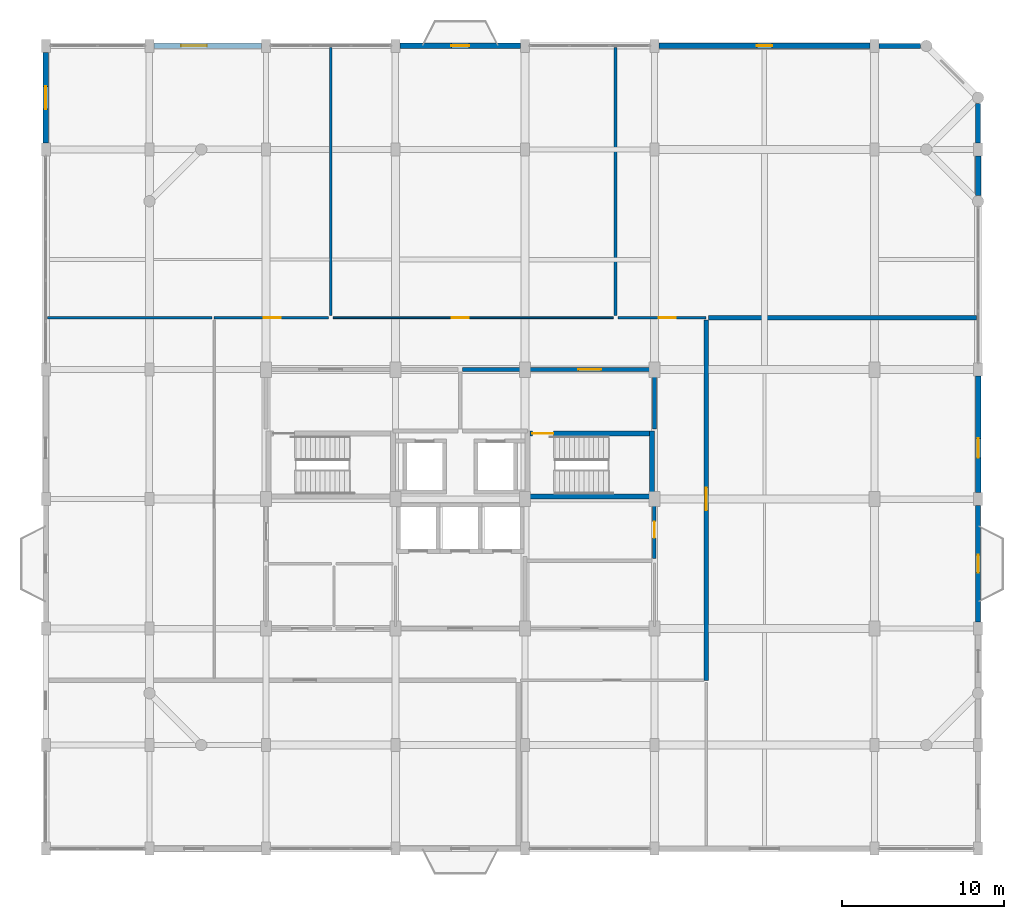
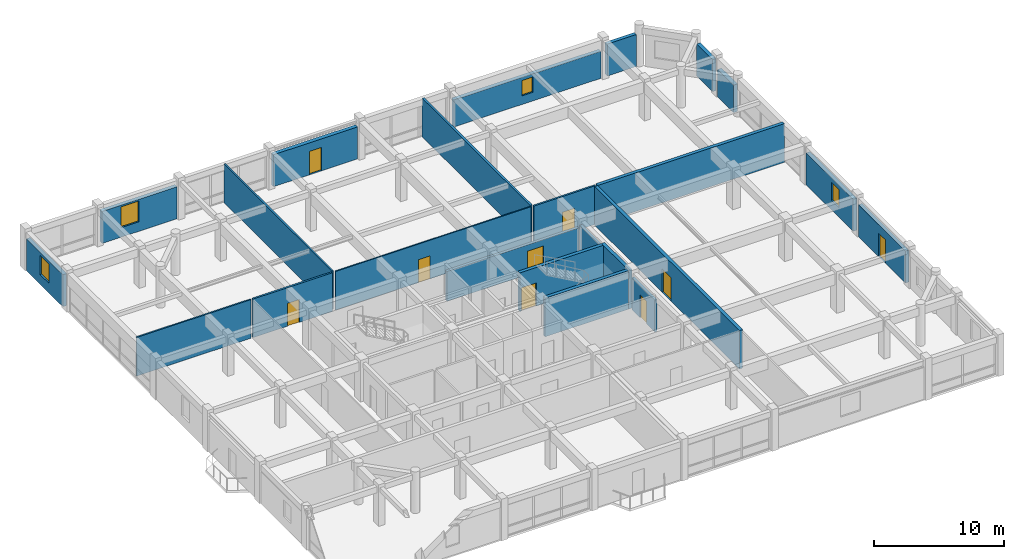
# One storey, part 13 of 15: 23 walls, 9 doors, 4 windows, 13 openings.
"""IFC4 building model written with IfcOpenShell, lengths in metres."""

from ifc_helpers import new_model, si_unit, direction, frame, frame_2d, origin, place, context, subcontext, project, spatial, rectangle, extrude, material, layer, layer_set, type_object, element, fill, save


model = new_model("IFC4")

# Units and contexts
model_context = context("Model", 3, precision=1e-05, world=origin(), true_north=direction((0.0, 1.0)))
body_context = subcontext(model_context, "Body", "Model", "MODEL_VIEW")
ifc_project = project(units=[si_unit("LENGTHUNIT", "METRE"), si_unit("AREAUNIT", "SQUARE_METRE"), si_unit("VOLUMEUNIT", "CUBIC_METRE"), si_unit("PLANEANGLEUNIT", "RADIAN"), si_unit("MASSUNIT", "GRAM", prefix="KILO")], contexts=[model_context])

# Site, building, storey
site_placement = place(None, origin())
site = spatial("IfcSite", under=ifc_project, at=site_placement, CompositionType="ELEMENT")
building_placement = place(site_placement, origin())
building = spatial("IfcBuilding", under=site, at=building_placement, Name="Vellmiral Cinema and Media Centre", CompositionType="ELEMENT")
storey_placement = place(building_placement, frame((0.0, 0.0, 35.60009765625)))
storey = spatial("IfcBuildingStorey", under=building, at=storey_placement, Name="L08", CompositionType="ELEMENT", Elevation=35.60009765625)

# Wall
ifc_material_1 = material(Name="Calcium-Silicate Masonry Blockwork", Category="masonry")
ifc_layer_1 = layer(ifc_material_1, 0.10009765625, Name="Calcium-Silicate Masonry Blockwork", Category="masonry")
ifc_material_2 = material(Name="Mineral Wool Acoustic Insulation", Category="insulation")
ifc_layer_2 = layer(ifc_material_2, 0.090087890625, Name="Mineral Wool Acoustic Insulation", Category="insulation")
ifc_layer_3 = layer(ifc_material_1, 0.10009765625, Name="Calcium-Silicate Masonry Blockwork", Category="masonry")
ifc_layer_set_1 = layer_set([ifc_layer_1, ifc_layer_2, ifc_layer_3], Name="Calcium-Silicate Masonry Blockwork")
wall_type_1 = type_object("IfcWallType", Name="WL-AC-290", PredefinedType="SOLIDWALL", material=ifc_layer_set_1)
wall_1_placement = place(storey_placement, frame((151.340087890625, 98.39990234375, 0.0), z_axis=(0.0, 0.0, 1.0), x_axis=(1.0, 0.0, 0.0)))
element("IfcWall", 1, at=wall_1_placement, inside=storey, type_object=wall_type_1, Name="East Motion-Capture Studio Wall N", PredefinedType="SOLIDWALL", context=body_context, shape_type="SweptSolid", body=[
    extrude(rectangle(XDim=16.56494140625, YDim=0.2900390625, at=frame_2d((8.282470703125, 0.0))), origin(), (0.0, 0.0, 1.0), 3.619873046875),
])

# Wall, opening, door
wall_2_placement = place(storey_placement, frame((151.199951171875, 76.0, 0.0), z_axis=(0.0, 0.0, 1.0), x_axis=(0.0, 1.0, 0.0)))
wall_2 = element("IfcWall", 2, at=wall_2_placement, inside=storey, type_object=wall_type_1, Name="East Motion-Capture Studio Wall W", PredefinedType="SOLIDWALL", context=body_context, shape_type="SweptSolid", body=[
    extrude(rectangle(XDim=22.260009765625, YDim=0.2900390625, at=frame_2d((11.1298828125, 0.0))), origin(), (0.0, 0.0, 1.0), 3.619873046875),
])
opening_1_placement = place(wall_2_placement, frame((10.5, 0.0, 0.0)))
opening_1 = element("IfcOpeningElement", 3, at=opening_1_placement, cuts=wall_2, Name="Opening D-AC4", PredefinedType="OPENING", context=body_context, shape_type="SweptSolid", body=[
    extrude(rectangle(XDim=1.39990234375, YDim=2.199951171875, at=frame_2d((0.699951171875, 1.10009765625))), frame((0.0, 0.156982421875, 0.0), z_axis=(0.0, -1.0, 0.0), x_axis=(1.0, 0.0, 0.0)), (0.0, 0.0, 1.0), 0.31396484375),
])
ifc_material_3 = material(Name="Acoustic Studio Door", Category="steel")
door_type_1 = type_object("IfcDoorType", Name="DR-AC-1400x2200", OperationType="NOTDEFINED", PredefinedType="DOOR", material=ifc_material_3)
door_1_placement = place(opening_1_placement, origin())
door_1 = element("IfcDoor", 4, at=door_1_placement, inside=storey, type_object=door_type_1, Name="East Motion-Capture Studio Door", OperationType="SINGLE_SWING_LEFT", OverallHeight=2.199951171875, OverallWidth=1.39990234375, PredefinedType="DOOR", context=body_context, shape_type="SweptSolid", body=[
    extrude(rectangle(XDim=1.39990234375, YDim=2.199951171875, at=frame_2d((0.699951171875, 1.10009765625))), frame((0.0, 0.02490234375, 0.0), z_axis=(0.0, -1.0, 0.0), x_axis=(1.0, 0.0, 0.0)), (0.0, 0.0, 1.0), 0.050048828125),
])
fill(opening_1, door_1)

ifc_material_4 = material(Name="Concrete C40/50", Category="concrete")
ifc_layer_4 = layer(ifc_material_4, 0.2099609375, Name="Concrete C40/50")
ifc_layer_set_2 = layer_set([ifc_layer_4], Name="Concrete C40/50")
wall_type_2 = type_object("IfcWallType", Name="WL-COMP-210", PredefinedType="SOLIDWALL", material=ifc_layer_set_2)
wall_3_placement = place(storey_placement, frame((148.0, 83.5400390625, 0.0), z_axis=(0.0, 0.0, 1.0), x_axis=(0.0, 1.0, 0.0)))
wall_3 = element("IfcWall", 5, at=wall_3_placement, inside=storey, type_object=wall_type_2, Name="Mechanical Smoke Riser Room Wall E", PredefinedType="SOLIDWALL", context=body_context, shape_type="SweptSolid", body=[
    extrude(rectangle(XDim=3.52001953125, YDim=0.2099609375, at=frame_2d((1.760009765625, 0.0))), origin(), (0.0, 0.0, 1.0), 2.994873046875),
])
opening_2_placement = place(wall_3_placement, frame((1.260009765625, 0.0, 0.0)))
opening_2 = element("IfcOpeningElement", 6, at=opening_2_placement, cuts=wall_3, Name="Opening D-FD30B", PredefinedType="OPENING", context=body_context, shape_type="SweptSolid", body=[
    extrude(rectangle(XDim=1.0, YDim=2.14990234375, at=frame_2d((0.5, 1.074951171875))), frame((0.0, 0.116943359375, 0.0), z_axis=(0.0, -1.0, 0.0), x_axis=(1.0, 0.0, 0.0)), (0.0, 0.0, 1.0), 0.23388671875),
])
ifc_material_5 = material(Name="Steel Riser Fire Door", Category="steel")
door_type_2 = type_object("IfcDoorType", Name="DR-FD30-1000x2150", OperationType="NOTDEFINED", PredefinedType="DOOR", material=ifc_material_5)
door_2_placement = place(opening_2_placement, origin())
door_2 = element("IfcDoor", 7, at=door_2_placement, inside=storey, type_object=door_type_2, Name="Mechanical Smoke Riser Room Door", OperationType="SINGLE_SWING_LEFT", OverallHeight=2.14990234375, OverallWidth=1.0, PredefinedType="DOOR", context=body_context, shape_type="SweptSolid", body=[
    extrude(rectangle(XDim=1.0, YDim=2.14990234375, at=frame_2d((0.5, 1.074951171875))), frame((0.0, 0.02490234375, 0.0), z_axis=(0.0, -1.0, 0.0), x_axis=(1.0, 0.0, 0.0)), (0.0, 0.0, 1.0), 0.050048828125),
])
fill(opening_2, door_2)

# Walls
ifc_material_6 = material(Name="Concrete C40/50", Category="concrete")
ifc_layer_5 = layer(ifc_material_6, 0.300048828125, Name="Concrete C40/50")
ifc_layer_set_3 = layer_set([ifc_layer_5], Name="Concrete C40/50")
wall_type_3 = type_object("IfcWallType", Name="WL-CORE-300", PredefinedType="SHEAR", material=ifc_layer_set_3)
wall_4_placement = place(storey_placement, frame((147.85009765625, 87.199951171875, 0.0), z_axis=(0.0, 0.0, 1.0), x_axis=(0.0, 1.0, 0.0)))
element("IfcWall", 8, at=wall_4_placement, inside=storey, type_object=wall_type_3, Name="Stair Core Wall ST-T2 L08-E", PredefinedType="SHEAR", context=body_context, shape_type="SweptSolid", body=[
    extrude(rectangle(XDim=4.199951171875, YDim=0.300048828125, at=frame_2d((2.10009765625, 0.0))), origin(), (0.0, 0.0, 1.0), 3.619873046875),
])
wall_5_placement = place(storey_placement, frame((140.300048828125, 87.35009765625, 0.0), z_axis=(0.0, 0.0, 1.0), x_axis=(1.0, 0.0, 0.0)))
element("IfcWall", 9, at=wall_5_placement, inside=storey, type_object=wall_type_3, Name="Stair Core Wall ST-T2 L08-S", PredefinedType="SHEAR", context=body_context, shape_type="SweptSolid", body=[
    extrude(rectangle(XDim=7.39990234375, YDim=0.300048828125, at=frame_2d((3.699951171875, 0.0))), origin(), (0.0, 0.0, 1.0), 3.619873046875),
])

# Wall, opening, door
wall_6_placement = place(storey_placement, frame((140.300048828125, 91.25, 0.0), z_axis=(0.0, 0.0, 1.0), x_axis=(1.0, 0.0, 0.0)))
wall_6 = element("IfcWall", 10, at=wall_6_placement, inside=storey, type_object=wall_type_3, Name="Stair Core Wall ST-T2 L08-N", PredefinedType="SHEAR", context=body_context, shape_type="SweptSolid", body=[
    extrude(rectangle(XDim=7.39990234375, YDim=0.300048828125, at=frame_2d((3.699951171875, 0.0))), origin(), (0.0, 0.0, 1.0), 3.619873046875),
])
opening_3_placement = place(wall_6_placement, frame((0.159912109375, 0.0, 0.0)))
opening_3 = element("IfcOpeningElement", 11, at=opening_3_placement, cuts=wall_6, Name="Opening D-FD30A", PredefinedType="OPENING", context=body_context, shape_type="SweptSolid", body=[
    extrude(rectangle(XDim=1.300048828125, YDim=2.179931640625, at=frame_2d((0.64990234375, 1.08984375))), frame((0.0, 0.162109375, 0.0), z_axis=(0.0, -1.0, 0.0), x_axis=(1.0, 0.0, 0.0)), (0.0, 0.0, 1.0), 0.323974609375),
])
ifc_material_7 = material(Name="Steel Stair Fire Door", Category="steel")
door_type_3 = type_object("IfcDoorType", Name="DR-FD30-1300x2180", OperationType="NOTDEFINED", PredefinedType="DOOR", material=ifc_material_7)
door_3_placement = place(opening_3_placement, frame((1.300048828125, 0.0, 0.0), z_axis=(0.0, 0.0, 1.0), x_axis=(-1.0, 0.0, 0.0)))
door_3 = element("IfcDoor", 12, at=door_3_placement, inside=storey, type_object=door_type_3, Name="Protected Stair Door ST-T2 L08", OperationType="SINGLE_SWING_RIGHT", OverallHeight=2.179931640625, OverallWidth=1.300048828125, PredefinedType="DOOR", context=body_context, shape_type="SweptSolid", body=[
    extrude(rectangle(XDim=1.300048828125, YDim=2.179931640625, at=frame_2d((0.64990234375, 1.08984375))), frame((0.0, 0.02490234375, 0.0), z_axis=(0.0, -1.0, 0.0), x_axis=(1.0, 0.0, 0.0)), (0.0, 0.0, 1.0), 0.050048828125),
])
fill(opening_3, door_3)

ifc_material_8 = material(Name="Polychrome Glazed Ceramic Cladding", Category="masonry")
ifc_layer_6 = layer(ifc_material_8, 0.320068359375, Name="Polychrome Glazed Ceramic Cladding")
ifc_layer_set_4 = layer_set([ifc_layer_6], Name="Polychrome Glazed Ceramic Cladding")
wall_type_4 = type_object("IfcWallType", Name="WL-EXT-BRICK-320", PredefinedType="SOLIDWALL", material=ifc_layer_set_4)
wall_7_placement = place(storey_placement, frame((168.0, 79.60009765625, 0.0), z_axis=(0.0, 0.0, 1.0), x_axis=(0.0, 1.0, 0.0)))
wall_7 = element("IfcWall", 13, at=wall_7_placement, inside=storey, type_object=wall_type_4, Name="Exterior Facade Wall L08-011", PredefinedType="SOLIDWALL", context=body_context, shape_type="SweptSolid", body=[
    extrude(rectangle(XDim=7.199951171875, YDim=0.320068359375, at=frame_2d((3.60009765625, 0.0))), origin(), (0.0, 0.0, 1.0), 3.0),
])
opening_4_placement = place(wall_7_placement, frame((3.050048828125, 0.0, 0.0)))
opening_4 = element("IfcOpeningElement", 14, at=opening_4_placement, cuts=wall_7, Name="Opening DE-06", PredefinedType="OPENING", context=body_context, shape_type="SweptSolid", body=[
    extrude(rectangle(XDim=1.10009765625, YDim=2.199951171875, at=frame_2d((0.550048828125, 1.10009765625))), frame((0.0, 0.171875, 0.0), z_axis=(0.0, -1.0, 0.0), x_axis=(1.0, 0.0, 0.0)), (0.0, 0.0, 1.0), 0.343994140625),
])
ifc_material_9 = material(Name="Thermally Broken Glazed Aluminium and Bronze Door", Category="aluminium")
door_type_4 = type_object("IfcDoorType", Name="DR-MIRA-1100x2200", OperationType="NOTDEFINED", PredefinedType="DOOR", material=ifc_material_9)
door_4_placement = place(opening_4_placement, frame((1.10009765625, 0.0, 0.0), z_axis=(0.0, 0.0, 1.0), x_axis=(-1.0, 0.0, 0.0)))
door_4 = element("IfcDoor", 15, at=door_4_placement, inside=storey, type_object=door_type_4, Name="Mirador Balcony Door L08-E", OperationType="SINGLE_SWING_RIGHT", OverallHeight=2.199951171875, OverallWidth=1.10009765625, PredefinedType="DOOR", context=body_context, shape_type="SweptSolid", body=[
    extrude(rectangle(XDim=1.10009765625, YDim=2.199951171875, at=frame_2d((0.550048828125, 1.10009765625))), frame((0.0, 0.02490234375, 0.0), z_axis=(0.0, -1.0, 0.0), x_axis=(1.0, 0.0, 0.0)), (0.0, 0.0, 1.0), 0.050048828125),
])
fill(opening_4, door_4)

# Walls
wall_8_placement = place(storey_placement, frame((168.0, 109.199951171875, 0.0), z_axis=(0.0, 0.0, 1.0), x_axis=(0.0, 1.0, 0.0)))
element("IfcWall", 16, at=wall_8_placement, inside=storey, type_object=wall_type_4, Name="Exterior Facade Wall L08-015", PredefinedType="SOLIDWALL", context=body_context, shape_type="SweptSolid", body=[
    extrude(rectangle(XDim=2.449951171875, YDim=0.320068359375, at=frame_2d((1.22509765625, 0.0))), origin(), (0.0, 0.0, 1.0), 3.0),
])
wall_9_placement = place(storey_placement, frame((164.449951171875, 115.199951171875, 0.0), z_axis=(0.0, 0.0, 1.0), x_axis=(-1.0, 0.0, 0.0)))
element("IfcWall", 17, at=wall_9_placement, inside=storey, type_object=wall_type_4, Name="Exterior Facade Wall L08-017", PredefinedType="SOLIDWALL", context=body_context, shape_type="SweptSolid", body=[
    extrude(rectangle(XDim=2.574951171875, YDim=0.320068359375, at=frame_2d((1.28759765625, 0.0))), origin(), (0.0, 0.0, 1.0), 3.0),
])

# Wall, opening, window
ifc_material_10 = material(Name="Vosges Red Sandstone Masonry", Category="masonry")
ifc_layer_7 = layer(ifc_material_10, 0.340087890625, Name="Vosges Red Sandstone Masonry")
ifc_layer_set_5 = layer_set([ifc_layer_7], Name="Vosges Red Sandstone Masonry")
wall_type_5 = type_object("IfcWallType", Name="WL-EXT-SAND-340", PredefinedType="SOLIDWALL", material=ifc_layer_set_5)
wall_10_placement = place(storey_placement, frame((168.0, 87.60009765625, 0.0), z_axis=(0.0, 0.0, 1.0), x_axis=(0.0, 1.0, 0.0)))
wall_10 = element("IfcWall", 18, at=wall_10_placement, inside=storey, type_object=wall_type_5, Name="Exterior Facade Wall L08-012", PredefinedType="SOLIDWALL", context=body_context, shape_type="SweptSolid", body=[
    extrude(rectangle(XDim=7.199951171875, YDim=0.340087890625, at=frame_2d((3.60009765625, 0.0))), origin(), (0.0, 0.0, 1.0), 3.0),
])
opening_5_placement = place(wall_10_placement, frame((2.14990234375, 0.0, 0.89990234375)))
opening_5 = element("IfcOpeningElement", 19, at=opening_5_placement, cuts=wall_10, Name="Opening WN-10", PredefinedType="OPENING", context=body_context, shape_type="SweptSolid", body=[
    extrude(rectangle(XDim=1.199951171875, YDim=1.699951171875, at=frame_2d((0.60009765625, 0.85009765625))), frame((0.0, 0.18212890625, 0.0), z_axis=(0.0, -1.0, 0.0), x_axis=(1.0, 0.0, 0.0)), (0.0, 0.0, 1.0), 0.364013671875),
])
ifc_material_11 = material(Name="Thermally Broken Aluminium Triple Glazing", Category="aluminium")
window_type_1 = type_object("IfcWindowType", Name="WN-1200x1700", PartitioningType="SINGLE_PANEL", PredefinedType="WINDOW", material=ifc_material_11)
window_1_placement = place(opening_5_placement, origin())
window_1 = element("IfcWindow", 20, at=window_1_placement, inside=storey, type_object=window_type_1, Name="Window L08-012", OverallHeight=1.699951171875, OverallWidth=1.199951171875, PartitioningType="SINGLE_PANEL", PredefinedType="WINDOW", context=body_context, shape_type="SweptSolid", body=[
    extrude(rectangle(XDim=1.199951171875, YDim=1.699951171875, at=frame_2d((0.60009765625, 0.85009765625))), frame((0.0, 0.030029296875, 0.0), z_axis=(0.0, -1.0, 0.0), x_axis=(1.0, 0.0, 0.0)), (0.0, 0.0, 1.0), 0.06005859375),
])
fill(opening_5, window_1)

# Wall
wall_11_placement = place(storey_placement, frame((168.0, 105.949951171875, 0.0), z_axis=(0.0, 0.0, 1.0), x_axis=(0.0, 1.0, 0.0)))
element("IfcWall", 21, at=wall_11_placement, inside=storey, type_object=wall_type_5, Name="Exterior Facade Wall L08-014", PredefinedType="SOLIDWALL", context=body_context, shape_type="SweptSolid", body=[
    extrude(rectangle(XDim=2.449951171875, YDim=0.340087890625, at=frame_2d((1.22509765625, 0.0))), origin(), (0.0, 0.0, 1.0), 2.5849609375),
])

# Wall, opening, window
wall_12_placement = place(storey_placement, frame((161.324951171875, 115.199951171875, 0.0), z_axis=(0.0, 0.0, 1.0), x_axis=(-1.0, 0.0, 0.0)))
wall_12 = element("IfcWall", 22, at=wall_12_placement, inside=storey, type_object=wall_type_5, Name="Exterior Facade Wall L08-018", PredefinedType="SOLIDWALL", context=body_context, shape_type="SweptSolid", body=[
    extrude(rectangle(XDim=13.050048828125, YDim=0.340087890625, at=frame_2d((6.52490234375, 0.0))), origin(), (0.0, 0.0, 1.0), 2.534912109375),
])
opening_6_placement = place(wall_12_placement, frame((6.050048828125, 0.0, 0.800048828125)))
opening_6 = element("IfcOpeningElement", 23, at=opening_6_placement, cuts=wall_12, Name="Opening WN-12", PredefinedType="OPENING", context=body_context, shape_type="SweptSolid", body=[
    extrude(rectangle(XDim=0.949951171875, YDim=1.449951171875, at=frame_2d((0.47509765625, 0.72509765625))), frame((0.0, 0.18212890625, 0.0), z_axis=(0.0, -1.0, 0.0), x_axis=(1.0, 0.0, 0.0)), (0.0, 0.0, 1.0), 0.364013671875),
])
ifc_material_12 = material(Name="Thermally Broken Aluminium Triple Glazing", Category="aluminium")
window_type_2 = type_object("IfcWindowType", Name="WN-0950x1450", PartitioningType="SINGLE_PANEL", PredefinedType="WINDOW", material=ifc_material_12)
window_2_placement = place(opening_6_placement, origin())
window_2 = element("IfcWindow", 24, at=window_2_placement, inside=storey, type_object=window_type_2, Name="Window L08-018", OverallHeight=1.449951171875, OverallWidth=0.949951171875, PartitioningType="SINGLE_PANEL", PredefinedType="WINDOW", context=body_context, shape_type="SweptSolid", body=[
    extrude(rectangle(XDim=0.949951171875, YDim=1.449951171875, at=frame_2d((0.47509765625, 0.72509765625))), frame((0.0, 0.030029296875, 0.0), z_axis=(0.0, -1.0, 0.0), x_axis=(1.0, 0.0, 0.0)), (0.0, 0.0, 1.0), 0.06005859375),
])
fill(opening_6, window_2)

# Wall, opening, door
wall_13_placement = place(storey_placement, frame((139.72509765625, 115.199951171875, 0.0), z_axis=(0.0, 0.0, 1.0), x_axis=(-1.0, 0.0, 0.0)))
wall_13 = element("IfcWall", 25, at=wall_13_placement, inside=storey, type_object=wall_type_5, Name="Exterior Facade Wall L08-020", PredefinedType="SOLIDWALL", context=body_context, shape_type="SweptSolid", body=[
    extrude(rectangle(XDim=7.4501953125, YDim=0.340087890625, at=frame_2d((3.72509765625, 0.0))), origin(), (0.0, 0.0, 1.0), 3.0),
])
opening_7_placement = place(wall_13_placement, frame((3.175048828125, 0.0, 0.0)))
opening_7 = element("IfcOpeningElement", 26, at=opening_7_placement, cuts=wall_13, Name="Opening DE-06", PredefinedType="OPENING", context=body_context, shape_type="SweptSolid", body=[
    extrude(rectangle(XDim=1.10009765625, YDim=2.199951171875, at=frame_2d((0.550048828125, 1.10009765625))), frame((0.0, 0.18212890625, 0.0), z_axis=(0.0, -1.0, 0.0), x_axis=(1.0, 0.0, 0.0)), (0.0, 0.0, 1.0), 0.364013671875),
])
door_5_placement = place(opening_7_placement, frame((1.10009765625, 0.0, 0.0), z_axis=(0.0, 0.0, 1.0), x_axis=(-1.0, 0.0, 0.0)))
door_5 = element("IfcDoor", 27, at=door_5_placement, inside=storey, type_object=door_type_4, Name="Mirador Balcony Door L08-N", OperationType="SINGLE_SWING_LEFT", OverallHeight=2.199951171875, OverallWidth=1.10009765625, PredefinedType="DOOR", context=body_context, shape_type="SweptSolid", body=[
    extrude(rectangle(XDim=1.10009765625, YDim=2.199951171875, at=frame_2d((0.550048828125, 1.10009765625))), frame((0.0, 0.02490234375, 0.0), z_axis=(0.0, -1.0, 0.0), x_axis=(1.0, 0.0, 0.0)), (0.0, 0.0, 1.0), 0.050048828125),
])
fill(opening_7, door_5)

# Wall, opening, window
wall_14_placement = place(storey_placement, frame((123.72509765625, 115.199951171875, 0.0), z_axis=(0.0, 0.0, 1.0), x_axis=(-1.0, 0.0, 0.0)))
wall_14 = element("IfcWall", 28, at=wall_14_placement, inside=storey, type_object=wall_type_5, Name="Exterior Facade Wall L08-022", PredefinedType="SOLIDWALL", context=body_context, shape_type="SweptSolid", body=[
    extrude(rectangle(XDim=6.650146484375, YDim=0.340087890625, at=frame_2d((3.3251953125, 0.0))), origin(), (0.0, 0.0, 1.0), 3.0),
])
opening_8_placement = place(wall_14_placement, frame((3.375, 0.0, 0.89990234375)))
opening_8 = element("IfcOpeningElement", 29, at=opening_8_placement, cuts=wall_14, Name="Opening WN-05", PredefinedType="OPENING", context=body_context, shape_type="SweptSolid", body=[
    extrude(rectangle(XDim=1.60009765625, YDim=1.949951171875, at=frame_2d((0.800048828125, 0.97509765625))), frame((0.0, 0.18212890625, 0.0), z_axis=(0.0, -1.0, 0.0), x_axis=(1.0, 0.0, 0.0)), (0.0, 0.0, 1.0), 0.364013671875),
])
ifc_material_13 = material(Name="Thermally Broken Aluminium Triple Glazing", Category="aluminium")
window_type_3 = type_object("IfcWindowType", Name="WN-1600x1950", PartitioningType="DOUBLE_PANEL_VERTICAL", PredefinedType="WINDOW", material=ifc_material_13)
window_3_placement = place(opening_8_placement, origin())
window_3 = element("IfcWindow", 30, at=window_3_placement, inside=storey, type_object=window_type_3, Name="Window L08-022", OverallHeight=1.949951171875, OverallWidth=1.60009765625, PartitioningType="DOUBLE_PANEL_VERTICAL", PredefinedType="WINDOW", context=body_context, shape_type="SweptSolid", body=[
    extrude(rectangle(XDim=1.60009765625, YDim=1.949951171875, at=frame_2d((0.800048828125, 0.97509765625))), frame((0.0, 0.030029296875, 0.0), z_axis=(0.0, -1.0, 0.0), x_axis=(1.0, 0.0, 0.0)), (0.0, 0.0, 1.0), 0.06005859375),
])
fill(opening_8, window_3)

wall_15_placement = place(storey_placement, frame((110.39990234375, 114.800048828125, 0.0), z_axis=(0.0, 0.0, 1.0), x_axis=(0.0, -1.0, 0.0)))
wall_15 = element("IfcWall", 31, at=wall_15_placement, inside=storey, type_object=wall_type_5, Name="Exterior Facade Wall L08-024", PredefinedType="SOLIDWALL", context=body_context, shape_type="SweptSolid", body=[
    extrude(rectangle(XDim=5.60009765625, YDim=0.340087890625, at=frame_2d((2.800048828125, 0.0))), origin(), (0.0, 0.0, 1.0), 3.0),
])
opening_9_placement = place(wall_15_placement, frame((2.10009765625, 0.0, 0.89990234375)))
opening_9 = element("IfcOpeningElement", 32, at=opening_9_placement, cuts=wall_15, Name="Opening WN-07", PredefinedType="OPENING", context=body_context, shape_type="SweptSolid", body=[
    extrude(rectangle(XDim=1.39990234375, YDim=1.800048828125, at=frame_2d((0.699951171875, 0.89990234375))), frame((0.0, 0.18212890625, 0.0), z_axis=(0.0, -1.0, 0.0), x_axis=(1.0, 0.0, 0.0)), (0.0, 0.0, 1.0), 0.364013671875),
])
ifc_material_14 = material(Name="Thermally Broken Aluminium Triple Glazing", Category="aluminium")
window_type_4 = type_object("IfcWindowType", Name="WN-1400x1800", PartitioningType="SINGLE_PANEL", PredefinedType="WINDOW", material=ifc_material_14)
window_4_placement = place(opening_9_placement, origin())
window_4 = element("IfcWindow", 33, at=window_4_placement, inside=storey, type_object=window_type_4, Name="Window L08-024", OverallHeight=1.800048828125, OverallWidth=1.39990234375, PartitioningType="SINGLE_PANEL", PredefinedType="WINDOW", context=body_context, shape_type="SweptSolid", body=[
    extrude(rectangle(XDim=1.39990234375, YDim=1.800048828125, at=frame_2d((0.699951171875, 0.89990234375))), frame((0.0, 0.030029296875, 0.0), z_axis=(0.0, -1.0, 0.0), x_axis=(1.0, 0.0, 0.0)), (0.0, 0.0, 1.0), 0.06005859375),
])
fill(opening_9, window_4)

# Wall, opening, door
ifc_material_15 = material(Name="Concrete C40/50", Category="concrete")
ifc_layer_8 = layer(ifc_material_15, 0.22998046875, Name="Concrete C40/50")
ifc_layer_set_6 = layer_set([ifc_layer_8], Name="Concrete C40/50")
wall_type_6 = type_object("IfcWallType", Name="WL-FFL-230", PredefinedType="SOLIDWALL", material=ifc_layer_set_6)
wall_16_placement = place(storey_placement, frame((136.139892578125, 95.199951171875, 0.0), z_axis=(0.0, 0.0, 1.0), x_axis=(1.0, 0.0, 0.0)))
wall_16 = element("IfcWall", 34, at=wall_16_placement, inside=storey, type_object=wall_type_6, Name="Firefighting Lobby East Wall N", PredefinedType="SOLIDWALL", context=body_context, shape_type="SweptSolid", body=[
    extrude(rectangle(XDim=11.72021484375, YDim=0.22998046875, at=frame_2d((5.860107421875, 0.0))), origin(), (0.0, 0.0, 1.0), 2.794921875),
])
opening_10_placement = place(wall_16_placement, frame((7.159912109375, 0.0, 0.0)))
opening_10 = element("IfcOpeningElement", 35, at=opening_10_placement, cuts=wall_16, Name="Opening D-FD60B", PredefinedType="OPENING", context=body_context, shape_type="SweptSolid", body=[
    extrude(rectangle(XDim=1.39990234375, YDim=2.199951171875, at=frame_2d((0.699951171875, 1.10009765625))), frame((0.0, 0.126953125, 0.0), z_axis=(0.0, -1.0, 0.0), x_axis=(1.0, 0.0, 0.0)), (0.0, 0.0, 1.0), 0.25390625),
])
ifc_material_16 = material(Name="Steel Fire Door", Category="steel")
door_type_5 = type_object("IfcDoorType", Name="DR-FD60-1400x2200", OperationType="NOTDEFINED", PredefinedType="DOOR", material=ifc_material_16)
door_6_placement = place(opening_10_placement, frame((1.39990234375, 0.0, 0.0), z_axis=(0.0, 0.0, 1.0), x_axis=(-1.0, 0.0, 0.0)))
door_6 = element("IfcDoor", 36, at=door_6_placement, inside=storey, type_object=door_type_5, Name="Firefighting Lobby East Door", OperationType="SINGLE_SWING_LEFT", OverallHeight=2.199951171875, OverallWidth=1.39990234375, PredefinedType="DOOR", context=body_context, shape_type="SweptSolid", body=[
    extrude(rectangle(XDim=1.39990234375, YDim=2.199951171875, at=frame_2d((0.699951171875, 1.10009765625))), frame((0.0, 0.02490234375, 0.0), z_axis=(0.0, -1.0, 0.0), x_axis=(1.0, 0.0, 0.0)), (0.0, 0.0, 1.0), 0.050048828125),
])
fill(opening_10, door_6)

# Wall
wall_17_placement = place(storey_placement, frame((148.0, 91.5400390625, 0.0), z_axis=(0.0, 0.0, 1.0), x_axis=(0.0, 1.0, 0.0)))
element("IfcWall", 37, at=wall_17_placement, inside=storey, type_object=wall_type_6, Name="Firefighting Lobby East Wall E", PredefinedType="SOLIDWALL", context=body_context, shape_type="SweptSolid", body=[
    extrude(rectangle(XDim=3.52001953125, YDim=0.22998046875, at=frame_2d((1.760009765625, 0.0))), origin(), (0.0, 0.0, 1.0), 3.044921875),
])

# Wall, opening, door
ifc_material_17 = material(Name="Gypsum Plasterboard")
ifc_layer_9 = layer(ifc_material_17, 0.02490234375, Name="Gypsum Plasterboard", Category="gypsum")
ifc_material_18 = material(Name="Mineral Wool Acoustic Insulation", Category="insulation")
ifc_layer_10 = layer(ifc_material_18, 0.06005859375, Name="Mineral Wool Acoustic Insulation", Category="insulation")
ifc_layer_11 = layer(ifc_material_17, 0.02490234375, Name="Gypsum Plasterboard", Category="gypsum")
ifc_layer_set_7 = layer_set([ifc_layer_9, ifc_layer_10, ifc_layer_11], Name="Gypsum Plasterboard")
wall_type_7 = type_object("IfcWallType", Name="WL-PART-110", PredefinedType="PARTITIONING", material=ifc_layer_set_7)
wall_18_placement = place(storey_placement, frame((128.139892578125, 98.39990234375, 0.0), z_axis=(0.0, 0.0, 1.0), x_axis=(1.0, 0.0, 0.0)))
wall_18 = element("IfcWall", 38, at=wall_18_placement, inside=storey, type_object=wall_type_7, Name="North Editorial Office B Wall S", PredefinedType="PARTITIONING", context=body_context, shape_type="SweptSolid", body=[
    extrude(rectangle(XDim=17.320068359375, YDim=0.110107421875, at=frame_2d((8.66015625, 0.0))), origin(), (0.0, 0.0, 1.0), 3.619873046875),
])
opening_11_placement = place(wall_18_placement, frame((7.3349609375, 0.0, 0.0)))
opening_11 = element("IfcOpeningElement", 39, at=opening_11_placement, cuts=wall_18, Name="Opening D-I07", PredefinedType="OPENING", context=body_context, shape_type="SweptSolid", body=[
    extrude(rectangle(XDim=1.050048828125, YDim=2.14990234375, at=frame_2d((0.52490234375, 1.074951171875))), frame((0.0, 0.06689453125, 0.0), z_axis=(0.0, -1.0, 0.0), x_axis=(1.0, 0.0, 0.0)), (0.0, 0.0, 1.0), 0.134033203125),
])
ifc_material_19 = material(Name="Laminated Timber Door", Category="wood")
door_type_6 = type_object("IfcDoorType", Name="DR-INT-1050x2150", OperationType="NOTDEFINED", PredefinedType="DOOR", material=ifc_material_19)
door_7_placement = place(opening_11_placement, origin())
door_7 = element("IfcDoor", 40, at=door_7_placement, inside=storey, type_object=door_type_6, Name="North Editorial Office B Door", OperationType="SINGLE_SWING_LEFT", OverallHeight=2.14990234375, OverallWidth=1.050048828125, PredefinedType="DOOR", context=body_context, shape_type="SweptSolid", body=[
    extrude(rectangle(XDim=1.050048828125, YDim=2.14990234375, at=frame_2d((0.52490234375, 1.074951171875))), frame((0.0, 0.02490234375, 0.0), z_axis=(0.0, -1.0, 0.0), x_axis=(1.0, 0.0, 0.0)), (0.0, 0.0, 1.0), 0.050048828125),
])
fill(opening_11, door_7)

# Walls
ifc_material_20 = material(Name="Gypsum Plasterboard")
ifc_layer_12 = layer(ifc_material_20, 0.02490234375, Name="Gypsum Plasterboard", Category="gypsum")
ifc_material_21 = material(Name="Mineral Wool Acoustic Insulation", Category="insulation")
ifc_layer_13 = layer(ifc_material_21, 0.080078125, Name="Mineral Wool Acoustic Insulation", Category="insulation")
ifc_layer_14 = layer(ifc_material_20, 0.02490234375, Name="Gypsum Plasterboard", Category="gypsum")
ifc_layer_set_8 = layer_set([ifc_layer_12, ifc_layer_13, ifc_layer_14], Name="Gypsum Plasterboard")
wall_type_8 = type_object("IfcWallType", Name="WL-PART-130", PredefinedType="PARTITIONING", material=ifc_layer_set_8)
wall_19_placement = place(storey_placement, frame((110.4951171875, 98.39990234375, 0.0), z_axis=(0.0, 0.0, 1.0), x_axis=(1.0, 0.0, 0.0)))
element("IfcWall", 41, at=wall_19_placement, inside=storey, type_object=wall_type_8, Name="West Media Editorial Lounge Wall N", PredefinedType="PARTITIONING", context=body_context, shape_type="SweptSolid", body=[
    extrude(rectangle(XDim=10.164794921875, YDim=0.1298828125, at=frame_2d((5.08251953125, 0.0))), origin(), (0.0, 0.0, 1.0), 3.619873046875),
])
ifc_material_22 = material(Name="Gypsum Plasterboard")
ifc_layer_15 = layer(ifc_material_22, 0.02490234375, Name="Gypsum Plasterboard", Category="gypsum")
ifc_material_23 = material(Name="Mineral Wool Acoustic Insulation", Category="insulation")
ifc_layer_16 = layer(ifc_material_23, 0.10009765625, Name="Mineral Wool Acoustic Insulation", Category="insulation")
ifc_layer_17 = layer(ifc_material_22, 0.02490234375, Name="Gypsum Plasterboard", Category="gypsum")
ifc_layer_set_9 = layer_set([ifc_layer_15, ifc_layer_16, ifc_layer_17], Name="Gypsum Plasterboard")
wall_type_9 = type_object("IfcWallType", Name="WL-PART-150", PredefinedType="PARTITIONING", material=ifc_layer_set_9)
wall_20_placement = place(storey_placement, frame((128.0, 98.5400390625, 0.0), z_axis=(0.0, 0.0, 1.0), x_axis=(0.0, 1.0, 0.0)))
element("IfcWall", 42, at=wall_20_placement, inside=storey, type_object=wall_type_9, Name="North Editorial Office A Wall E", PredefinedType="PARTITIONING", context=body_context, shape_type="SweptSolid", body=[
    extrude(rectangle(XDim=16.56494140625, YDim=0.14990234375, at=frame_2d((8.282470703125, 0.0))), origin(), (0.0, 0.0, 1.0), 3.619873046875),
])

# Wall, opening, door
wall_21_placement = place(storey_placement, frame((145.739990234375, 98.39990234375, 0.0), z_axis=(0.0, 0.0, 1.0), x_axis=(1.0, 0.0, 0.0)))
wall_21 = element("IfcWall", 43, at=wall_21_placement, inside=storey, type_object=wall_type_9, Name="North Sound Grading Suite Wall S", PredefinedType="PARTITIONING", context=body_context, shape_type="SweptSolid", body=[
    extrude(rectangle(XDim=5.4599609375, YDim=0.14990234375, at=frame_2d((2.72998046875, 0.0))), origin(), (0.0, 0.0, 1.0), 3.619873046875),
])
opening_12_placement = place(wall_21_placement, frame((2.534912109375, 0.0, 0.0)))
opening_12 = element("IfcOpeningElement", 44, at=opening_12_placement, cuts=wall_21, Name="Opening D-I07", PredefinedType="OPENING", context=body_context, shape_type="SweptSolid", body=[
    extrude(rectangle(XDim=1.050048828125, YDim=2.14990234375, at=frame_2d((0.52490234375, 1.074951171875))), frame((0.0, 0.0869140625, 0.0), z_axis=(0.0, -1.0, 0.0), x_axis=(1.0, 0.0, 0.0)), (0.0, 0.0, 1.0), 0.173828125),
])
door_8_placement = place(opening_12_placement, origin())
door_8 = element("IfcDoor", 45, at=door_8_placement, inside=storey, type_object=door_type_6, Name="North Sound Grading Suite Door", OperationType="SINGLE_SWING_RIGHT", OverallHeight=2.14990234375, OverallWidth=1.050048828125, PredefinedType="DOOR", context=body_context, shape_type="SweptSolid", body=[
    extrude(rectangle(XDim=1.050048828125, YDim=2.14990234375, at=frame_2d((0.52490234375, 1.074951171875))), frame((0.0, 0.02490234375, 0.0), z_axis=(0.0, -1.0, 0.0), x_axis=(1.0, 0.0, 0.0)), (0.0, 0.0, 1.0), 0.050048828125),
])
fill(opening_12, door_8)

ifc_material_24 = material(Name="Gypsum Plasterboard")
ifc_layer_18 = layer(ifc_material_24, 0.02490234375, Name="Gypsum Plasterboard", Category="gypsum")
ifc_material_25 = material(Name="Mineral Wool Acoustic Insulation", Category="insulation")
ifc_layer_19 = layer(ifc_material_25, 0.1201171875, Name="Mineral Wool Acoustic Insulation", Category="insulation")
ifc_layer_20 = layer(ifc_material_24, 0.02490234375, Name="Gypsum Plasterboard", Category="gypsum")
ifc_layer_set_10 = layer_set([ifc_layer_18, ifc_layer_19, ifc_layer_20], Name="Gypsum Plasterboard")
wall_type_10 = type_object("IfcWallType", Name="WL-PART-170", PredefinedType="PARTITIONING", material=ifc_layer_set_10)
wall_22_placement = place(storey_placement, frame((120.800048828125, 98.39990234375, 0.0), z_axis=(0.0, 0.0, 1.0), x_axis=(1.0, 0.0, 0.0)))
wall_22 = element("IfcWall", 46, at=wall_22_placement, inside=storey, type_object=wall_type_10, Name="North Editorial Office A Wall S", PredefinedType="PARTITIONING", context=body_context, shape_type="SweptSolid", body=[
    extrude(rectangle(XDim=7.06005859375, YDim=0.169921875, at=frame_2d((3.530029296875, 0.0))), origin(), (0.0, 0.0, 1.0), 3.619873046875),
])
opening_13_placement = place(wall_22_placement, frame((3.074951171875, 0.0, 0.0)))
opening_13 = element("IfcOpeningElement", 47, at=opening_13_placement, cuts=wall_22, Name="Opening D-I07", PredefinedType="OPENING", context=body_context, shape_type="SweptSolid", body=[
    extrude(rectangle(XDim=1.050048828125, YDim=2.14990234375, at=frame_2d((0.52490234375, 1.074951171875))), frame((0.0, 0.096923828125, 0.0), z_axis=(0.0, -1.0, 0.0), x_axis=(1.0, 0.0, 0.0)), (0.0, 0.0, 1.0), 0.19384765625),
])
door_9_placement = place(opening_13_placement, origin())
door_9 = element("IfcDoor", 48, at=door_9_placement, inside=storey, type_object=door_type_6, Name="North Editorial Office A Door", OperationType="SINGLE_SWING_LEFT", OverallHeight=2.14990234375, OverallWidth=1.050048828125, PredefinedType="DOOR", context=body_context, shape_type="SweptSolid", body=[
    extrude(rectangle(XDim=1.050048828125, YDim=2.14990234375, at=frame_2d((0.52490234375, 1.074951171875))), frame((0.0, 0.02490234375, 0.0), z_axis=(0.0, -1.0, 0.0), x_axis=(1.0, 0.0, 0.0)), (0.0, 0.0, 1.0), 0.050048828125),
])
fill(opening_13, door_9)

# Wall
ifc_material_26 = material(Name="Gypsum Plasterboard")
ifc_layer_21 = layer(ifc_material_26, 0.02490234375, Name="Gypsum Plasterboard", Category="gypsum")
ifc_material_27 = material(Name="Mineral Wool Acoustic Insulation", Category="insulation")
ifc_layer_22 = layer(ifc_material_27, 0.139892578125, Name="Mineral Wool Acoustic Insulation", Category="insulation")
ifc_layer_23 = layer(ifc_material_26, 0.02490234375, Name="Gypsum Plasterboard", Category="gypsum")
ifc_layer_set_11 = layer_set([ifc_layer_21, ifc_layer_22, ifc_layer_23], Name="Gypsum Plasterboard")
wall_type_11 = type_object("IfcWallType", Name="WL-PART-190", PredefinedType="PARTITIONING", material=ifc_layer_set_11)
wall_23_placement = place(storey_placement, frame((145.60009765625, 98.5400390625, 0.0), z_axis=(0.0, 0.0, 1.0), x_axis=(0.0, 1.0, 0.0)))
element("IfcWall", 49, at=wall_23_placement, inside=storey, type_object=wall_type_11, Name="North Editorial Office B Wall E", PredefinedType="PARTITIONING", context=body_context, shape_type="SweptSolid", body=[
    extrude(rectangle(XDim=16.56494140625, YDim=0.18994140625, at=frame_2d((8.282470703125, 0.0))), origin(), (0.0, 0.0, 1.0), 3.619873046875),
])

save(model, "model.ifc")
